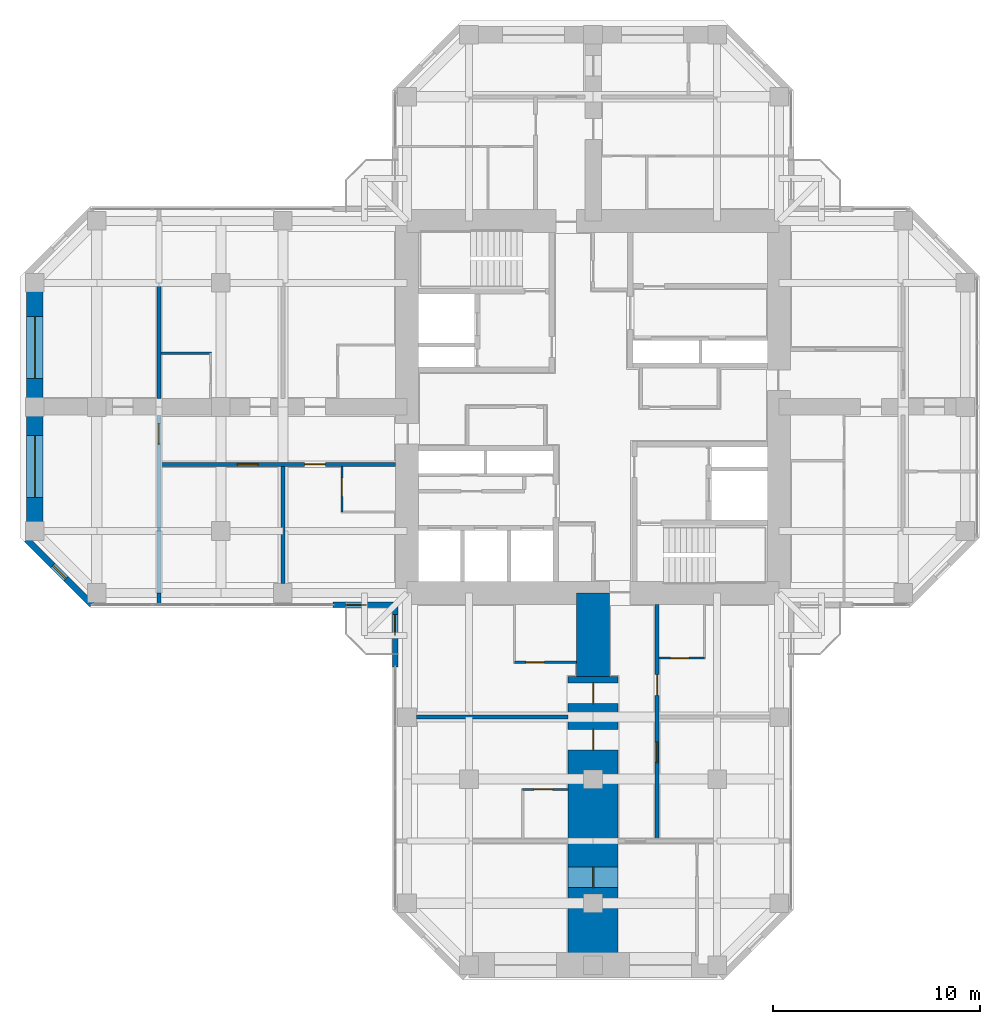
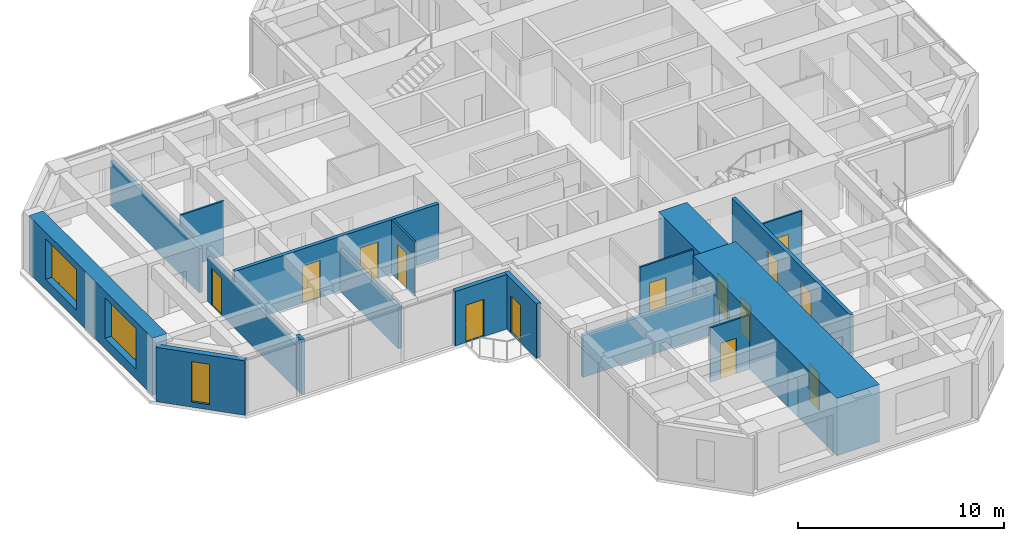
# One storey, part 8 of 14: 18 walls, 14 doors, 3 windows, 17 openings.
"""IFC4 building model written with IfcOpenShell, lengths in metres."""

from ifc_helpers import new_model, si_unit, direction, frame, frame_2d, origin, place, context, subcontext, project, spatial, rectangle, hollow_rectangle, extrude, material, layer, layer_set, constituent, constituent_set, type_object, element, fill, save


model = new_model("IFC4")

# Units and contexts
model_context = context("Model", 3, precision=1e-05, world=origin(), true_north=direction((0.0, 1.0)))
body_context = subcontext(model_context, "Body", "Model", "MODEL_VIEW")
ifc_project = project(units=[si_unit("LENGTHUNIT", "METRE"), si_unit("AREAUNIT", "SQUARE_METRE"), si_unit("VOLUMEUNIT", "CUBIC_METRE"), si_unit("PLANEANGLEUNIT", "RADIAN"), si_unit("MASSUNIT", "GRAM", prefix="KILO")], contexts=[model_context])

# Site, building, storey
site_placement = place(None, origin())
site = spatial("IfcSite", under=ifc_project, at=site_placement, CompositionType="ELEMENT")
building_placement = place(site_placement, origin())
building = spatial("IfcBuilding", under=site, at=building_placement, Name="Torre Cruceta", CompositionType="ELEMENT")
storey_placement = place(building_placement, frame((0.0, 0.0, 206.89990234375)))
storey = spatial("IfcBuildingStorey", under=building, at=storey_placement, Name="L52", CompositionType="ELEMENT", Elevation=206.89990234375)

# Wall, opening, door
ifc_material_1 = material(Name="Water-resistant plasterboard on steel studs", Category="steel")
ifc_layer_1 = layer(ifc_material_1, 0.10009765625)
ifc_layer_set_1 = layer_set([ifc_layer_1], Name="Water-resistant plasterboard on steel studs")
wall_type_1 = type_object("IfcWallType", Name="BATHROOM WALL 100", PredefinedType="PARTITIONING", material=ifc_layer_set_1)
wall_1_placement = place(storey_placement, frame((3.199951171875, -12.14990234375, 0.0), z_axis=(0.0, 0.0, 1.0), x_axis=(1.0, 0.0, 0.0)))
wall_1 = element("IfcWall", 1, at=wall_1_placement, inside=storey, type_object=wall_type_1, Name="PT4 L52-S-U1LBS", PredefinedType="PARTITIONING", context=body_context, shape_type="SweptSolid", body=[
    extrude(rectangle(XDim=2.199951171875, YDim=0.10009765625, at=frame_2d((1.10009765625, 0.0))), origin(), (0.0, 0.0, 1.0), 3.22021484375),
])
opening_1_placement = place(wall_1_placement, frame((0.550048828125, 0.0, 0.0)))
opening_1 = element("IfcOpeningElement", 2, at=opening_1_placement, cuts=wall_1, Name="Opening D7", PredefinedType="OPENING", context=body_context, shape_type="SweptSolid", body=[
    extrude(rectangle(XDim=0.89990234375, YDim=2.10009765625, at=frame_2d((0.449951171875, 1.050048828125))), frame((0.0, 0.06005859375, 0.0), z_axis=(0.0, -1.0, 0.0), x_axis=(1.0, 0.0, 0.0)), (0.0, 0.0, 1.0), 0.1201171875),
])
ifc_material_2 = material(Name="Timber door", Category="wood")
door_type_1 = type_object("IfcDoorType", Name="BATHROOM DOOR 900X2100", OperationType="SINGLE_SWING_LEFT", PredefinedType="DOOR", material=ifc_material_2)
door_1_placement = place(opening_1_placement, origin())
door_1 = element("IfcDoor", 3, at=door_1_placement, inside=storey, type_object=door_type_1, Name="D7 L52-S-U1LBS-D1", OperationType="SINGLE_SWING_LEFT", OverallHeight=2.10009765625, OverallWidth=0.89990234375, PredefinedType="DOOR", context=body_context, shape_type="SweptSolid", body=[
    extrude(rectangle(XDim=0.89990234375, YDim=2.10009765625, at=frame_2d((0.449951171875, 1.050048828125))), frame((0.0, 0.02490234375, 0.0), z_axis=(0.0, -1.0, 0.0), x_axis=(1.0, 0.0, 0.0)), (0.0, 0.0, 1.0), 0.050048828125),
])
fill(opening_1, door_1)

wall_2_placement = place(storey_placement, frame((-3.800048828125, -12.35009765625, 0.0), z_axis=(0.0, 0.0, 1.0), x_axis=(1.0, 0.0, 0.0)))
wall_2 = element("IfcWall", 4, at=wall_2_placement, inside=storey, type_object=wall_type_1, Name="PT4 L52-S-U1RBS", PredefinedType="PARTITIONING", context=body_context, shape_type="SweptSolid", body=[
    extrude(rectangle(XDim=3.0, YDim=0.10009765625, at=frame_2d((1.5, 0.0))), origin(), (0.0, 0.0, 1.0), 3.22021484375),
])
opening_2_placement = place(wall_2_placement, frame((0.550048828125, 0.0, 0.0)))
opening_2 = element("IfcOpeningElement", 5, at=opening_2_placement, cuts=wall_2, Name="Opening D7", PredefinedType="OPENING", context=body_context, shape_type="SweptSolid", body=[
    extrude(rectangle(XDim=0.89990234375, YDim=2.10009765625, at=frame_2d((0.449951171875, 1.050048828125))), frame((0.0, 0.06005859375, 0.0), z_axis=(0.0, -1.0, 0.0), x_axis=(1.0, 0.0, 0.0)), (0.0, 0.0, 1.0), 0.1201171875),
])
door_2_placement = place(opening_2_placement, origin())
door_2 = element("IfcDoor", 6, at=door_2_placement, inside=storey, type_object=door_type_1, Name="D7 L52-S-U1RBS-D1", OperationType="SINGLE_SWING_LEFT", OverallHeight=2.10009765625, OverallWidth=0.89990234375, PredefinedType="DOOR", context=body_context, shape_type="SweptSolid", body=[
    extrude(rectangle(XDim=0.89990234375, YDim=2.10009765625, at=frame_2d((0.449951171875, 1.050048828125))), frame((0.0, 0.02490234375, 0.0), z_axis=(0.0, -1.0, 0.0), x_axis=(1.0, 0.0, 0.0)), (0.0, 0.0, 1.0), 0.050048828125),
])
fill(opening_2, door_2)

wall_3_placement = place(storey_placement, frame((-3.39990234375, -18.5, 0.0), z_axis=(0.0, 0.0, 1.0), x_axis=(1.0, 0.0, 0.0)))
wall_3 = element("IfcWall", 7, at=wall_3_placement, inside=storey, type_object=wall_type_1, Name="PT4 L52-S-U2RBS", PredefinedType="PARTITIONING", context=body_context, shape_type="SweptSolid", body=[
    extrude(rectangle(XDim=2.199951171875, YDim=0.10009765625, at=frame_2d((1.10009765625, 0.0))), origin(), (0.0, 0.0, 1.0), 3.22021484375),
])
opening_3_placement = place(wall_3_placement, frame((0.550048828125, 0.0, 0.0)))
opening_3 = element("IfcOpeningElement", 8, at=opening_3_placement, cuts=wall_3, Name="Opening D7", PredefinedType="OPENING", context=body_context, shape_type="SweptSolid", body=[
    extrude(rectangle(XDim=0.89990234375, YDim=2.10009765625, at=frame_2d((0.449951171875, 1.050048828125))), frame((0.0, 0.06005859375, 0.0), z_axis=(0.0, -1.0, 0.0), x_axis=(1.0, 0.0, 0.0)), (0.0, 0.0, 1.0), 0.1201171875),
])
door_3_placement = place(opening_3_placement, frame((0.89990234375, 0.0, 0.0), z_axis=(0.0, 0.0, 1.0), x_axis=(-1.0, 0.0, 0.0)))
door_3 = element("IfcDoor", 9, at=door_3_placement, inside=storey, type_object=door_type_1, Name="D7 L52-S-U2RBS-D1", OperationType="SINGLE_SWING_RIGHT", OverallHeight=2.10009765625, OverallWidth=0.89990234375, PredefinedType="DOOR", context=body_context, shape_type="SweptSolid", body=[
    extrude(rectangle(XDim=0.89990234375, YDim=2.10009765625, at=frame_2d((0.449951171875, 1.050048828125))), frame((0.0, 0.025146484375, 0.0), z_axis=(0.0, -1.0, 0.0), x_axis=(1.0, 0.0, 0.0)), (0.0, 0.0, 1.0), 0.050048828125),
])
fill(opening_3, door_3)

wall_4_placement = place(storey_placement, frame((-12.14990234375, -2.875, 0.0), z_axis=(0.0, 0.0, 1.0), x_axis=(0.0, -1.0, 0.0)))
wall_4 = element("IfcWall", 10, at=wall_4_placement, inside=storey, type_object=wall_type_1, Name="PT4 L52-W-U1LBS", PredefinedType="PARTITIONING", context=body_context, shape_type="SweptSolid", body=[
    extrude(rectangle(XDim=2.199951171875, YDim=0.10009765625, at=frame_2d((1.10009765625, 0.0))), origin(), (0.0, 0.0, 1.0), 3.22021484375),
])
opening_4_placement = place(wall_4_placement, frame((0.550048828125, 0.0, 0.0)))
opening_4 = element("IfcOpeningElement", 11, at=opening_4_placement, cuts=wall_4, Name="Opening D7", PredefinedType="OPENING", context=body_context, shape_type="SweptSolid", body=[
    extrude(rectangle(XDim=0.89990234375, YDim=2.10009765625, at=frame_2d((0.449951171875, 1.050048828125))), frame((0.0, 0.06005859375, 0.0), z_axis=(0.0, -1.0, 0.0), x_axis=(1.0, 0.0, 0.0)), (0.0, 0.0, 1.0), 0.1201171875),
])
door_4_placement = place(opening_4_placement, origin())
door_4 = element("IfcDoor", 12, at=door_4_placement, inside=storey, type_object=door_type_1, Name="D7 L52-W-U1LBS-D1", OperationType="SINGLE_SWING_LEFT", OverallHeight=2.10009765625, OverallWidth=0.89990234375, PredefinedType="DOOR", context=body_context, shape_type="SweptSolid", body=[
    extrude(rectangle(XDim=0.89990234375, YDim=2.10009765625, at=frame_2d((0.449951171875, 1.050048828125))), frame((0.0, 0.02490234375, 0.0), z_axis=(0.0, -1.0, 0.0), x_axis=(1.0, 0.0, 0.0)), (0.0, 0.0, 1.0), 0.050048828125),
])
fill(opening_4, door_4)

# Wall
wall_5_placement = place(storey_placement, frame((-18.449951171875, 2.60009765625, 0.0), z_axis=(0.0, 0.0, 1.0), x_axis=(-1.0, 0.0, 0.0)))
element("IfcWall", 13, at=wall_5_placement, inside=storey, type_object=wall_type_1, Name="PT4 L52-W-U2RBB", PredefinedType="PARTITIONING", context=body_context, shape_type="SweptSolid", body=[
    extrude(rectangle(XDim=2.449951171875, YDim=0.10009765625, at=frame_2d((1.22509765625, 0.0))), origin(), (0.0, 0.0, 1.0), 3.22021484375),
])

# Wall, openings, doors
ifc_material_3 = material(Name="Concrete G25 (fck 25 MPa)", Category="concrete")
ifc_layer_2 = layer(ifc_material_3, 0.199951171875)
ifc_layer_set_2 = layer_set([ifc_layer_2], Name="Concrete G25 (fck 25 MPa)")
wall_type_2 = type_object("IfcWallType", Name="CORRIDOR WALL 200", PredefinedType="SOLIDWALL", material=ifc_layer_set_2)
wall_6_placement = place(storey_placement, frame((3.10009765625, -9.550048828125, 0.0), z_axis=(0.0, 0.0, 1.0), x_axis=(0.0, -1.0, 0.0)))
wall_6 = element("IfcWall", 14, at=wall_6_placement, inside=storey, type_object=wall_type_2, Name="PT3 L52-S-CL", PredefinedType="SOLIDWALL", context=body_context, shape_type="SweptSolid", body=[
    extrude(rectangle(XDim=11.449951171875, YDim=0.199951171875, at=frame_2d((5.72509765625, 0.0))), origin(), (0.0, 0.0, 1.0), 3.22021484375),
])
opening_5_placement = place(wall_6_placement, frame((3.39990234375, 0.0, 0.0)))
opening_5 = element("IfcOpeningElement", 15, at=opening_5_placement, cuts=wall_6, Name="Opening D6", PredefinedType="OPENING", context=body_context, shape_type="SweptSolid", body=[
    extrude(rectangle(XDim=1.0, YDim=2.14990234375, at=frame_2d((0.5, 1.074951171875))), frame((0.0, 0.10986328125, 0.0), z_axis=(0.0, -1.0, 0.0), x_axis=(1.0, 0.0, 0.0)), (0.0, 0.0, 1.0), 0.219970703125),
])
opening_6_placement = place(wall_6_placement, frame((6.64990234375, 0.0, 0.0)))
opening_6 = element("IfcOpeningElement", 16, at=opening_6_placement, cuts=wall_6, Name="Opening D14", PredefinedType="OPENING", context=body_context, shape_type="SweptSolid", body=[
    extrude(rectangle(XDim=1.0, YDim=2.199951171875, at=frame_2d((0.5, 1.10009765625))), frame((0.0, 0.10986328125, 0.0), z_axis=(0.0, -1.0, 0.0), x_axis=(1.0, 0.0, 0.0)), (0.0, 0.0, 1.0), 0.219970703125),
])
ifc_material_4 = material(Name="Steel DX51D", Category="steel")
ifc_constituent_1 = constituent(ifc_material_4, Name="Leaf and frame")
ifc_material_5 = material(Name="Polyester powder coating", Category="paint")
ifc_constituent_2 = constituent(ifc_material_5, Name="Finish")
ifc_material_6 = material(Name="Fire-resisting glass", Category="glass")
ifc_constituent_3 = constituent(ifc_material_6, Name="Vision panel")
ifc_constituent_set_1 = constituent_set(constituents=[ifc_constituent_1, ifc_constituent_2, ifc_constituent_3], Name="Steel fire door with vision panel")
door_type_2 = type_object("IfcDoorType", Name="FIRE DOOR VISION PANEL 1000X2200", OperationType="SINGLE_SWING_RIGHT", PredefinedType="DOOR", material=ifc_constituent_set_1)
door_5_placement = place(opening_6_placement, origin())
door_5 = element("IfcDoor", 17, at=door_5_placement, inside=storey, type_object=door_type_2, Name="D14 L52-S-CL-D2", OperationType="SINGLE_SWING_LEFT", OverallHeight=2.199951171875, OverallWidth=1.0, PredefinedType="DOOR", context=body_context, shape_type="SweptSolid", body=[
    extrude(rectangle(XDim=1.0, YDim=2.199951171875, at=frame_2d((0.5, 1.10009765625))), frame((0.0, 0.02490234375, 0.0), z_axis=(0.0, -1.0, 0.0), x_axis=(1.0, 0.0, 0.0)), (0.0, 0.0, 1.0), 0.050048828125),
])
fill(opening_6, door_5)
ifc_material_7 = material(Name="Timber fire door", Category="wood")
door_type_3 = type_object("IfcDoorType", Name="UNIT ENTRANCE DOOR 1000X2150", OperationType="SINGLE_SWING_LEFT", PredefinedType="DOOR", material=ifc_material_7)
door_6_placement = place(opening_5_placement, origin())
door_6 = element("IfcDoor", 18, at=door_6_placement, inside=storey, type_object=door_type_3, Name="D6 L52-S-CL-D1", OperationType="SINGLE_SWING_LEFT", OverallHeight=2.14990234375, OverallWidth=1.0, PredefinedType="DOOR", context=body_context, shape_type="SweptSolid", body=[
    extrude(rectangle(XDim=1.0, YDim=2.14990234375, at=frame_2d((0.5, 1.074951171875))), frame((0.0, 0.02490234375, 0.0), z_axis=(0.0, -1.0, 0.0), x_axis=(1.0, 0.0, 0.0)), (0.0, 0.0, 1.0), 0.050048828125),
])
fill(opening_5, door_6)

wall_7_placement = place(storey_placement, frame((-9.550048828125, -2.77490234375, 0.0), z_axis=(0.0, 0.0, 1.0), x_axis=(-1.0, 0.0, 0.0)))
wall_7 = element("IfcWall", 19, at=wall_7_placement, inside=storey, type_object=wall_type_2, Name="PT3 L52-W-CL", PredefinedType="SOLIDWALL", context=body_context, shape_type="SweptSolid", body=[
    extrude(rectangle(XDim=11.449951171875, YDim=0.199951171875, at=frame_2d((5.72509765625, 0.0))), origin(), (0.0, 0.0, 1.0), 3.22021484375),
])
opening_7_placement = place(wall_7_placement, frame((3.39990234375, 0.0, 0.0)))
opening_7 = element("IfcOpeningElement", 20, at=opening_7_placement, cuts=wall_7, Name="Opening D6", PredefinedType="OPENING", context=body_context, shape_type="SweptSolid", body=[
    extrude(rectangle(XDim=1.0, YDim=2.14990234375, at=frame_2d((0.5, 1.074951171875))), frame((0.0, 0.10986328125, 0.0), z_axis=(0.0, -1.0, 0.0), x_axis=(1.0, 0.0, 0.0)), (0.0, 0.0, 1.0), 0.219970703125),
])
opening_8_placement = place(wall_7_placement, frame((6.64990234375, 0.0, 0.0)))
opening_8 = element("IfcOpeningElement", 21, at=opening_8_placement, cuts=wall_7, Name="Opening D14", PredefinedType="OPENING", context=body_context, shape_type="SweptSolid", body=[
    extrude(rectangle(XDim=1.0, YDim=2.199951171875, at=frame_2d((0.5, 1.10009765625))), frame((0.0, 0.10986328125, 0.0), z_axis=(0.0, -1.0, 0.0), x_axis=(1.0, 0.0, 0.0)), (0.0, 0.0, 1.0), 0.219970703125),
])
door_7_placement = place(opening_8_placement, origin())
door_7 = element("IfcDoor", 22, at=door_7_placement, inside=storey, type_object=door_type_2, Name="D14 L52-W-CL-D2", OperationType="SINGLE_SWING_LEFT", OverallHeight=2.199951171875, OverallWidth=1.0, PredefinedType="DOOR", context=body_context, shape_type="SweptSolid", body=[
    extrude(rectangle(XDim=1.0, YDim=2.199951171875, at=frame_2d((0.5, 1.10009765625))), frame((0.0, 0.02490234375, 0.0), z_axis=(0.0, -1.0, 0.0), x_axis=(1.0, 0.0, 0.0)), (0.0, 0.0, 1.0), 0.050048828125),
])
fill(opening_8, door_7)
door_8_placement = place(opening_7_placement, origin())
door_8 = element("IfcDoor", 23, at=door_8_placement, inside=storey, type_object=door_type_3, Name="D6 L52-W-CL-D1", OperationType="SINGLE_SWING_LEFT", OverallHeight=2.14990234375, OverallWidth=1.0, PredefinedType="DOOR", context=body_context, shape_type="SweptSolid", body=[
    extrude(rectangle(XDim=1.0, YDim=2.14990234375, at=frame_2d((0.5, 1.074951171875))), frame((0.0, 0.02490234375, 0.0), z_axis=(0.0, -1.0, 0.0), x_axis=(1.0, 0.0, 0.0)), (0.0, 0.0, 1.0), 0.050048828125),
])
fill(opening_7, door_8)

# Wall, opening, window
ifc_material_8 = material(Name="Concrete G30 (fck 30 MPa)", Category="concrete")
ifc_layer_3 = layer(ifc_material_8, 0.300048828125)
ifc_layer_set_3 = layer_set([ifc_layer_3], Name="Concrete G30 (fck 30 MPa)")
wall_type_3 = type_object("IfcWallType", Name="EXPOSED CONCRETE FACADE WALL 300", PredefinedType="SOLIDWALL", material=ifc_layer_set_3)
wall_8_placement = place(storey_placement, frame((-27.39990234375, -6.406005859375, 0.0), z_axis=(0.0, 0.0, 1.0), x_axis=(0.707079499254, -0.707134062067, 0.0)))
wall_8 = element("IfcWall", 24, at=wall_8_placement, inside=storey, type_object=wall_type_3, Name="EW1 facade wall L52 W chamfer 13", PredefinedType="SOLIDWALL", context=body_context, shape_type="SweptSolid", body=[
    extrude(rectangle(XDim=4.474609375, YDim=0.300048828125, at=frame_2d((2.2373046875, 0.0))), origin(), (0.0, 0.0, 1.0), 3.22021484375),
])
opening_9_placement = place(wall_8_placement, frame((1.787109375, 0.0, 0.300048828125)))
opening_9 = element("IfcOpeningElement", 25, at=opening_9_placement, cuts=wall_8, Name="Opening WN5", PredefinedType="OPENING", context=body_context, shape_type="SweptSolid", body=[
    extrude(rectangle(XDim=0.89990234375, YDim=2.39990234375, at=frame_2d((0.449951171875, 1.199951171875))), frame((0.0, 0.159912109375, 0.0), z_axis=(0.0, -1.0, 0.0), x_axis=(1.0, 0.0, 0.0)), (0.0, 0.0, 1.0), 0.320068359375),
])
ifc_material_9 = material(Name="Aluminium window frame", Category="aluminium")
ifc_constituent_4 = constituent(ifc_material_9, Name="Frame")
ifc_material_10 = material(Name="Laminated insulating glass unit, low-iron clear", Category="glass")
ifc_constituent_5 = constituent(ifc_material_10, Name="Glazing")
ifc_constituent_set_2 = constituent_set(constituents=[ifc_constituent_4, ifc_constituent_5], Name="Aluminium window")
window_type_1 = type_object("IfcWindowType", Name="CHAMFER SLOT WINDOW 900X2400", PartitioningType="SINGLE_PANEL", PredefinedType="WINDOW", material=ifc_constituent_set_2)
window_1_placement = place(opening_9_placement, origin())
window_1 = element("IfcWindow", 26, at=window_1_placement, inside=storey, type_object=window_type_1, Name="WN5 L52 W 1", OverallHeight=2.39990234375, OverallWidth=0.89990234375, PartitioningType="SINGLE_PANEL", PredefinedType="WINDOW", context=body_context, shape_type="SweptSolid", body=[
    extrude(hollow_rectangle(XDim=0.89990234375, YDim=2.39990234375, WallThickness=0.06005859375, at=frame_2d((0.449951171875, 1.199951171875))), frame((0.0, 0.030029296875, 0.0), z_axis=(0.0, -1.0, 0.0), x_axis=(1.0, 0.0, 0.0)), (0.0, 0.0, 1.0), 0.06005859375),
    extrude(rectangle(XDim=0.77880859375, YDim=2.27880859375, at=frame_2d((0.449951171875, 1.199951171875))), frame((0.0, 0.030029296875, 0.0), z_axis=(0.0, -1.0, 0.0), x_axis=(1.0, 0.0, 0.0)), (0.0, 0.0, 1.0), 0.06005859375),
])
fill(opening_9, window_1)

# Wall, openings, windows
ifc_material_11 = material(Name="Concrete G60 (fck 60 MPa)", Category="concrete")
ifc_layer_4 = layer(ifc_material_11, 0.800048828125)
ifc_layer_set_4 = layer_set([ifc_layer_4], Name="Concrete G60 (fck 60 MPa)")
wall_type_4 = type_object("IfcWallType", Name="NOSE WALL 800 G60", PredefinedType="SHEAR", material=ifc_layer_set_4)
wall_9_placement = place(storey_placement, frame((-27.0, 6.0, 0.0), z_axis=(0.0, 0.0, 1.0), x_axis=(0.0, -1.0, 0.0)))
wall_9 = element("IfcWall", 27, at=wall_9_placement, inside=storey, type_object=wall_type_4, Name="NW2 nose wall L52 W", PredefinedType="SHEAR", context=body_context, shape_type="SweptSolid", body=[
    extrude(rectangle(XDim=12.0, YDim=0.800048828125, at=frame_2d((6.0, 0.0))), origin(), (0.0, 0.0, 1.0), 3.400146484375),
])
opening_10_placement = place(wall_9_placement, frame((1.625, 0.0, 0.60009765625)))
opening_10 = element("IfcOpeningElement", 28, at=opening_10_placement, cuts=wall_9, Name="Opening WN6", PredefinedType="OPENING", context=body_context, shape_type="SweptSolid", body=[
    extrude(rectangle(XDim=3.0, YDim=2.39990234375, at=frame_2d((1.5, 1.199951171875))), frame((0.0, 0.409912109375, 0.0), z_axis=(0.0, -1.0, 0.0), x_axis=(1.0, 0.0, 0.0)), (0.0, 0.0, 1.0), 0.820068359375),
])
opening_11_placement = place(wall_9_placement, frame((7.375, 0.0, 0.60009765625)))
opening_11 = element("IfcOpeningElement", 29, at=opening_11_placement, cuts=wall_9, Name="Opening WN6", PredefinedType="OPENING", context=body_context, shape_type="SweptSolid", body=[
    extrude(rectangle(XDim=3.0, YDim=2.39990234375, at=frame_2d((1.5, 1.199951171875))), frame((0.0, 0.409912109375, 0.0), z_axis=(0.0, -1.0, 0.0), x_axis=(1.0, 0.0, 0.0)), (0.0, 0.0, 1.0), 0.820068359375),
])
ifc_material_12 = material(Name="Aluminium window frame", Category="aluminium")
ifc_constituent_6 = constituent(ifc_material_12, Name="Frame")
ifc_material_13 = material(Name="Laminated insulating glass unit, low-iron clear", Category="glass")
ifc_constituent_7 = constituent(ifc_material_13, Name="Glazing")
ifc_constituent_set_3 = constituent_set(constituents=[ifc_constituent_6, ifc_constituent_7], Name="Aluminium window")
window_type_2 = type_object("IfcWindowType", Name="NOSE WALL WINDOW 3000X2400", PartitioningType="SINGLE_PANEL", PredefinedType="WINDOW", material=ifc_constituent_set_3)
window_2_placement = place(opening_10_placement, origin())
window_2 = element("IfcWindow", 30, at=window_2_placement, inside=storey, type_object=window_type_2, Name="WN6 L52 W 1", OverallHeight=2.39990234375, OverallWidth=3.0, PartitioningType="SINGLE_PANEL", PredefinedType="WINDOW", context=body_context, shape_type="SweptSolid", body=[
    extrude(hollow_rectangle(XDim=3.0, YDim=2.39990234375, WallThickness=0.06005859375, at=frame_2d((1.5, 1.199951171875))), frame((0.0, 0.030029296875, 0.0), z_axis=(0.0, -1.0, 0.0), x_axis=(1.0, 0.0, 0.0)), (0.0, 0.0, 1.0), 0.06005859375),
    extrude(rectangle(XDim=2.87890625, YDim=2.27880859375, at=frame_2d((1.5, 1.199951171875))), frame((0.0, 0.030029296875, 0.0), z_axis=(0.0, -1.0, 0.0), x_axis=(1.0, 0.0, 0.0)), (0.0, 0.0, 1.0), 0.06005859375),
])
fill(opening_10, window_2)
window_3_placement = place(opening_11_placement, origin())
window_3 = element("IfcWindow", 31, at=window_3_placement, inside=storey, type_object=window_type_2, Name="WN6 L52 W 2", OverallHeight=2.39990234375, OverallWidth=3.0, PartitioningType="SINGLE_PANEL", PredefinedType="WINDOW", context=body_context, shape_type="SweptSolid", body=[
    extrude(hollow_rectangle(XDim=3.0, YDim=2.39990234375, WallThickness=0.06005859375, at=frame_2d((1.5, 1.199951171875))), frame((0.0, 0.030029296875, 0.0), z_axis=(0.0, -1.0, 0.0), x_axis=(1.0, 0.0, 0.0)), (0.0, 0.0, 1.0), 0.06005859375),
    extrude(rectangle(XDim=2.87890625, YDim=2.27880859375, at=frame_2d((1.5, 1.199951171875))), frame((0.0, 0.030029296875, 0.0), z_axis=(0.0, -1.0, 0.0), x_axis=(1.0, 0.0, 0.0)), (0.0, 0.0, 1.0), 0.06005859375),
])
fill(opening_11, window_3)

# Wall
ifc_material_14 = material(Name="Concrete G60 (fck 60 MPa)", Category="concrete")
ifc_layer_5 = layer(ifc_material_14, 1.60009765625)
ifc_layer_set_5 = layer_set([ifc_layer_5], Name="Concrete G60 (fck 60 MPa)")
wall_type_5 = type_object("IfcWallType", Name="SPINE WALL 1600 G60", PredefinedType="SHEAR", material=ifc_layer_set_5)
wall_10_placement = place(storey_placement, frame((0.0, -9.0, 0.0), z_axis=(0.0, 0.0, 1.0), x_axis=(0.0, -1.0, 0.0)))
element("IfcWall", 32, at=wall_10_placement, inside=storey, type_object=wall_type_5, Name="SW2 spine wall root L52 S", PredefinedType="SHEAR", context=body_context, shape_type="SweptSolid", body=[
    extrude(rectangle(XDim=4.050048828125, YDim=1.60009765625, at=frame_2d((2.02490234375, 0.0))), origin(), (0.0, 0.0, 1.0), 3.400146484375),
])

# Wall, openings, doors
ifc_material_15 = material(Name="Concrete G60 (fck 60 MPa)", Category="concrete")
ifc_layer_6 = layer(ifc_material_15, 2.39990234375)
ifc_layer_set_6 = layer_set([ifc_layer_6], Name="Concrete G60 (fck 60 MPa)")
wall_type_6 = type_object("IfcWallType", Name="SPINE WALL 2400 G60", PredefinedType="SHEAR", material=ifc_layer_set_6)
wall_11_placement = place(storey_placement, frame((0.0, -13.050048828125, 0.0), z_axis=(0.0, 0.0, 1.0), x_axis=(0.0, -1.0, 0.0)))
wall_11 = element("IfcWall", 33, at=wall_11_placement, inside=storey, type_object=wall_type_6, Name="SW0 spine wall L52 S", PredefinedType="SHEAR", context=body_context, shape_type="SweptSolid", body=[
    extrude(rectangle(XDim=13.949951171875, YDim=2.39990234375, at=frame_2d((6.97509765625, 0.0))), origin(), (0.0, 0.0, 1.0), 3.400146484375),
])
opening_12_placement = place(wall_11_placement, frame((0.300048828125, 0.0, 0.0)))
opening_12 = element("IfcOpeningElement", 34, at=opening_12_placement, cuts=wall_11, Name="Opening D6", PredefinedType="OPENING", context=body_context, shape_type="SweptSolid", body=[
    extrude(rectangle(XDim=1.0, YDim=2.14990234375, at=frame_2d((0.5, 1.074951171875))), frame((0.0, 1.2099609375, 0.0), z_axis=(0.0, -1.0, 0.0), x_axis=(1.0, 0.0, 0.0)), (0.0, 0.0, 1.0), 2.419921875),
])
opening_13_placement = place(wall_11_placement, frame((2.550048828125, 0.0, 0.0)))
opening_13 = element("IfcOpeningElement", 35, at=opening_13_placement, cuts=wall_11, Name="Opening D6", PredefinedType="OPENING", context=body_context, shape_type="SweptSolid", body=[
    extrude(rectangle(XDim=1.0, YDim=2.14990234375, at=frame_2d((0.5, 1.074951171875))), frame((0.0, 1.2099609375, 0.0), z_axis=(0.0, -1.0, 0.0), x_axis=(1.0, 0.0, 0.0)), (0.0, 0.0, 1.0), 2.419921875),
])
opening_14_placement = place(wall_11_placement, frame((9.199951171875, 0.0, 0.0)))
opening_14 = element("IfcOpeningElement", 36, at=opening_14_placement, cuts=wall_11, Name="Opening D14", PredefinedType="OPENING", context=body_context, shape_type="SweptSolid", body=[
    extrude(rectangle(XDim=1.0, YDim=2.199951171875, at=frame_2d((0.5, 1.10009765625))), frame((0.0, 1.2099609375, 0.0), z_axis=(0.0, -1.0, 0.0), x_axis=(1.0, 0.0, 0.0)), (0.0, 0.0, 1.0), 2.419921875),
])
door_9_placement = place(opening_14_placement, origin())
door_9 = element("IfcDoor", 37, at=door_9_placement, inside=storey, type_object=door_type_2, Name="D14 L52-S-SP3", OperationType="SINGLE_SWING_LEFT", OverallHeight=2.199951171875, OverallWidth=1.0, PredefinedType="DOOR", context=body_context, shape_type="SweptSolid", body=[
    extrude(rectangle(XDim=1.0, YDim=2.199951171875, at=frame_2d((0.5, 1.10009765625))), frame((0.0, 0.02490234375, 0.0), z_axis=(0.0, -1.0, 0.0), x_axis=(1.0, 0.0, 0.0)), (0.0, 0.0, 1.0), 0.050048828125),
])
fill(opening_14, door_9)
door_10_placement = place(opening_12_placement, frame((1.0, 0.0, 0.0), z_axis=(0.0, 0.0, 1.0), x_axis=(-1.0, 0.0, 0.0)))
door_10 = element("IfcDoor", 38, at=door_10_placement, inside=storey, type_object=door_type_3, Name="D6 L52-S-SP1", OperationType="SINGLE_SWING_LEFT", OverallHeight=2.14990234375, OverallWidth=1.0, PredefinedType="DOOR", context=body_context, shape_type="SweptSolid", body=[
    extrude(rectangle(XDim=1.0, YDim=2.14990234375, at=frame_2d((0.5, 1.074951171875))), frame((0.0, 0.025146484375, 0.0), z_axis=(0.0, -1.0, 0.0), x_axis=(1.0, 0.0, 0.0)), (0.0, 0.0, 1.0), 0.050048828125),
])
fill(opening_12, door_10)
door_11_placement = place(opening_13_placement, frame((1.0, 0.0, 0.0), z_axis=(0.0, 0.0, 1.0), x_axis=(-1.0, 0.0, 0.0)))
door_11 = element("IfcDoor", 39, at=door_11_placement, inside=storey, type_object=door_type_3, Name="D6 L52-S-SP2", OperationType="SINGLE_SWING_RIGHT", OverallHeight=2.14990234375, OverallWidth=1.0, PredefinedType="DOOR", context=body_context, shape_type="SweptSolid", body=[
    extrude(rectangle(XDim=1.0, YDim=2.14990234375, at=frame_2d((0.5, 1.074951171875))), frame((0.0, 0.025146484375, 0.0), z_axis=(0.0, -1.0, 0.0), x_axis=(1.0, 0.0, 0.0)), (0.0, 0.0, 1.0), 0.050048828125),
])
fill(opening_13, door_11)

# Walls
ifc_material_16 = material(Name="Concrete G25 (fck 25 MPa)", Category="concrete")
ifc_layer_7 = layer(ifc_material_16, 0.199951171875)
ifc_layer_set_7 = layer_set([ifc_layer_7], Name="Concrete G25 (fck 25 MPa)")
wall_type_7 = type_object("IfcWallType", Name="UNIT SEPARATING WALL 200", PredefinedType="SOLIDWALL", material=ifc_layer_set_7)
wall_12_placement = place(storey_placement, frame((-8.550048828125, -15.0, 0.0), z_axis=(0.0, 0.0, 1.0), x_axis=(1.0, 0.0, 0.0)))
element("IfcWall", 40, at=wall_12_placement, inside=storey, type_object=wall_type_7, Name="PT2 L52-S-P1R", PredefinedType="SOLIDWALL", context=body_context, shape_type="SweptSolid", body=[
    extrude(rectangle(XDim=7.35009765625, YDim=0.199951171875, at=frame_2d((3.675048828125, 0.0))), origin(), (0.0, 0.0, 1.0), 2.47021484375),
])
wall_13_placement = place(storey_placement, frame((-15.0, -2.875, 0.0), z_axis=(0.0, 0.0, 1.0), x_axis=(0.0, -1.0, 0.0)))
element("IfcWall", 41, at=wall_13_placement, inside=storey, type_object=wall_type_7, Name="PT2 L52-W-P1L", PredefinedType="SOLIDWALL", context=body_context, shape_type="SweptSolid", body=[
    extrude(rectangle(XDim=5.675048828125, YDim=0.199951171875, at=frame_2d((2.83740234375, 0.0))), origin(), (0.0, 0.0, 1.0), 2.47021484375),
])
wall_14_placement = place(storey_placement, frame((-21.0, 9.0, 0.0), z_axis=(0.0, 0.0, 1.0), x_axis=(0.0, -1.0, 0.0)))
element("IfcWall", 42, at=wall_14_placement, inside=storey, type_object=wall_type_7, Name="PT2 L52-W-ENDa 2", PredefinedType="SOLIDWALL", context=body_context, shape_type="SweptSolid", body=[
    extrude(rectangle(XDim=8.60009765625, YDim=0.199951171875, at=frame_2d((4.300048828125, 0.0))), origin(), (0.0, 0.0, 1.0), 2.6201171875),
])

# Wall, opening, door
wall_15_placement = place(storey_placement, frame((-21.0, -0.39990234375, 0.0), z_axis=(0.0, 0.0, 1.0), x_axis=(0.0, -1.0, 0.0)))
wall_15 = element("IfcWall", 43, at=wall_15_placement, inside=storey, type_object=wall_type_7, Name="PT2 L52-W-ENDb", PredefinedType="SOLIDWALL", context=body_context, shape_type="SweptSolid", body=[
    extrude(rectangle(XDim=8.60009765625, YDim=0.199951171875, at=frame_2d((4.300048828125, 0.0))), origin(), (0.0, 0.0, 1.0), 2.6201171875),
])
opening_15_placement = place(wall_15_placement, frame((0.39990234375, 0.0, 0.0)))
opening_15 = element("IfcOpeningElement", 44, at=opening_15_placement, cuts=wall_15, Name="Opening D14", PredefinedType="OPENING", context=body_context, shape_type="SweptSolid", body=[
    extrude(rectangle(XDim=1.0, YDim=2.199951171875, at=frame_2d((0.5, 1.10009765625))), frame((0.0, 0.10986328125, 0.0), z_axis=(0.0, -1.0, 0.0), x_axis=(1.0, 0.0, 0.0)), (0.0, 0.0, 1.0), 0.219970703125),
])
door_12_placement = place(opening_15_placement, frame((1.0, 0.0, 0.0), z_axis=(0.0, 0.0, 1.0), x_axis=(-1.0, 0.0, 0.0)))
door_12 = element("IfcDoor", 45, at=door_12_placement, inside=storey, type_object=door_type_2, Name="D14 L52-W-ENDb-D1", OperationType="SINGLE_SWING_RIGHT", OverallHeight=2.199951171875, OverallWidth=1.0, PredefinedType="DOOR", context=body_context, shape_type="SweptSolid", body=[
    extrude(rectangle(XDim=1.0, YDim=2.199951171875, at=frame_2d((0.5, 1.10009765625))), frame((0.0, 0.025146484375, 0.0), z_axis=(0.0, -1.0, 0.0), x_axis=(1.0, 0.0, 0.0)), (0.0, 0.0, 1.0), 0.050048828125),
])
fill(opening_15, door_12)

# Wall
wall_16_placement = place(storey_placement, frame((-21.0, -9.0, 0.0), z_axis=(0.0, 0.0, 1.0), x_axis=(0.0, -1.0, 0.0)))
element("IfcWall", 46, at=wall_16_placement, inside=storey, type_object=wall_type_7, Name="PT2 L52-W-ENDb 2", PredefinedType="SOLIDWALL", context=body_context, shape_type="SweptSolid", body=[
    extrude(rectangle(XDim=0.530029296875, YDim=0.199951171875, at=frame_2d((0.26513671875, 0.0))), origin(), (0.0, 0.0, 1.0), 3.22021484375),
])

# Wall, opening, door
ifc_material_17 = material(Name="Concrete G30 (fck 30 MPa)", Category="concrete")
ifc_layer_8 = layer(ifc_material_17, 0.25)
ifc_layer_set_8 = layer_set([ifc_layer_8], Name="Concrete G30 (fck 30 MPa)")
wall_type_8 = type_object("IfcWallType", Name="WINTER GARDEN WALL 250", PredefinedType="SOLIDWALL", material=ifc_layer_set_8)
wall_17_placement = place(storey_placement, frame((-12.570068359375, -9.570068359375, 0.0), z_axis=(0.0, 0.0, 1.0), x_axis=(1.0, 0.0, 0.0)))
wall_17 = element("IfcWall", 47, at=wall_17_placement, inside=storey, type_object=wall_type_8, Name="EW2 winter garden wall L52 14", PredefinedType="SOLIDWALL", context=body_context, shape_type="SweptSolid", body=[
    extrude(rectangle(XDim=2.875, YDim=0.25, at=frame_2d((1.4375, 0.0))), origin(), (0.0, 0.0, 1.0), 3.22021484375),
])
opening_16_placement = place(wall_17_placement, frame((0.60009765625, 0.0, 0.0)))
opening_16 = element("IfcOpeningElement", 48, at=opening_16_placement, cuts=wall_17, Name="Opening D10", PredefinedType="OPENING", context=body_context, shape_type="SweptSolid", body=[
    extrude(rectangle(XDim=1.0, YDim=2.199951171875, at=frame_2d((0.5, 1.10009765625))), frame((0.0, 0.135009765625, 0.0), z_axis=(0.0, -1.0, 0.0), x_axis=(1.0, 0.0, 0.0)), (0.0, 0.0, 1.0), 0.27001953125),
])
ifc_material_18 = material(Name="Aluminium door frame", Category="aluminium")
ifc_constituent_8 = constituent(ifc_material_18, Name="Frame")
ifc_material_19 = material(Name="Laminated safety glass", Category="glass")
ifc_constituent_9 = constituent(ifc_material_19, Name="Glazing")
ifc_constituent_set_4 = constituent_set(constituents=[ifc_constituent_8, ifc_constituent_9], Name="Aluminium glazed door")
door_type_4 = type_object("IfcDoorType", Name="BALCONY DOOR 1000X2200", OperationType="SINGLE_SWING_RIGHT", PredefinedType="DOOR", material=ifc_constituent_set_4)
door_13_placement = place(opening_16_placement, origin())
door_13 = element("IfcDoor", 49, at=door_13_placement, inside=storey, type_object=door_type_4, Name="D10 balcony door L52 14", OperationType="SINGLE_SWING_RIGHT", OverallHeight=2.199951171875, OverallWidth=1.0, PredefinedType="DOOR", context=body_context, shape_type="SweptSolid", body=[
    extrude(hollow_rectangle(XDim=1.0, YDim=2.199951171875, WallThickness=0.06005859375, at=frame_2d((0.5, 1.10009765625))), frame((0.0, 0.02490234375, 0.0), z_axis=(0.0, -1.0, 0.0), x_axis=(1.0, 0.0, 0.0)), (0.0, 0.0, 1.0), 0.050048828125),
    extrude(rectangle(XDim=0.87890625, YDim=2.078857421875, at=frame_2d((0.5, 1.10009765625))), frame((0.0, 0.02490234375, 0.0), z_axis=(0.0, -1.0, 0.0), x_axis=(1.0, 0.0, 0.0)), (0.0, 0.0, 1.0), 0.050048828125),
])
fill(opening_16, door_13)

wall_18_placement = place(storey_placement, frame((-9.570068359375, -9.445068359375, 0.0), z_axis=(0.0, 0.0, 1.0), x_axis=(0.0, -1.0, 0.0)))
wall_18 = element("IfcWall", 50, at=wall_18_placement, inside=storey, type_object=wall_type_8, Name="EW2 winter garden wall L52 15", PredefinedType="SOLIDWALL", context=body_context, shape_type="SweptSolid", body=[
    extrude(rectangle(XDim=3.125, YDim=0.25, at=frame_2d((1.5625, 0.0))), origin(), (0.0, 0.0, 1.0), 3.22021484375),
])
opening_17_placement = place(wall_18_placement, frame((0.60009765625, 0.0, 0.0)))
opening_17 = element("IfcOpeningElement", 51, at=opening_17_placement, cuts=wall_18, Name="Opening D10", PredefinedType="OPENING", context=body_context, shape_type="SweptSolid", body=[
    extrude(rectangle(XDim=1.0, YDim=2.199951171875, at=frame_2d((0.5, 1.10009765625))), frame((0.0, 0.135009765625, 0.0), z_axis=(0.0, -1.0, 0.0), x_axis=(1.0, 0.0, 0.0)), (0.0, 0.0, 1.0), 0.27001953125),
])
door_14_placement = place(opening_17_placement, origin())
door_14 = element("IfcDoor", 52, at=door_14_placement, inside=storey, type_object=door_type_4, Name="D10 balcony door L52 15", OperationType="SINGLE_SWING_LEFT", OverallHeight=2.199951171875, OverallWidth=1.0, PredefinedType="DOOR", context=body_context, shape_type="SweptSolid", body=[
    extrude(hollow_rectangle(XDim=1.0, YDim=2.199951171875, WallThickness=0.06005859375, at=frame_2d((0.5, 1.10009765625))), frame((0.0, 0.02490234375, 0.0), z_axis=(0.0, -1.0, 0.0), x_axis=(1.0, 0.0, 0.0)), (0.0, 0.0, 1.0), 0.050048828125),
    extrude(rectangle(XDim=0.87890625, YDim=2.078857421875, at=frame_2d((0.5, 1.10009765625))), frame((0.0, 0.02490234375, 0.0), z_axis=(0.0, -1.0, 0.0), x_axis=(1.0, 0.0, 0.0)), (0.0, 0.0, 1.0), 0.050048828125),
])
fill(opening_17, door_14)

save(model, "model.ifc")
